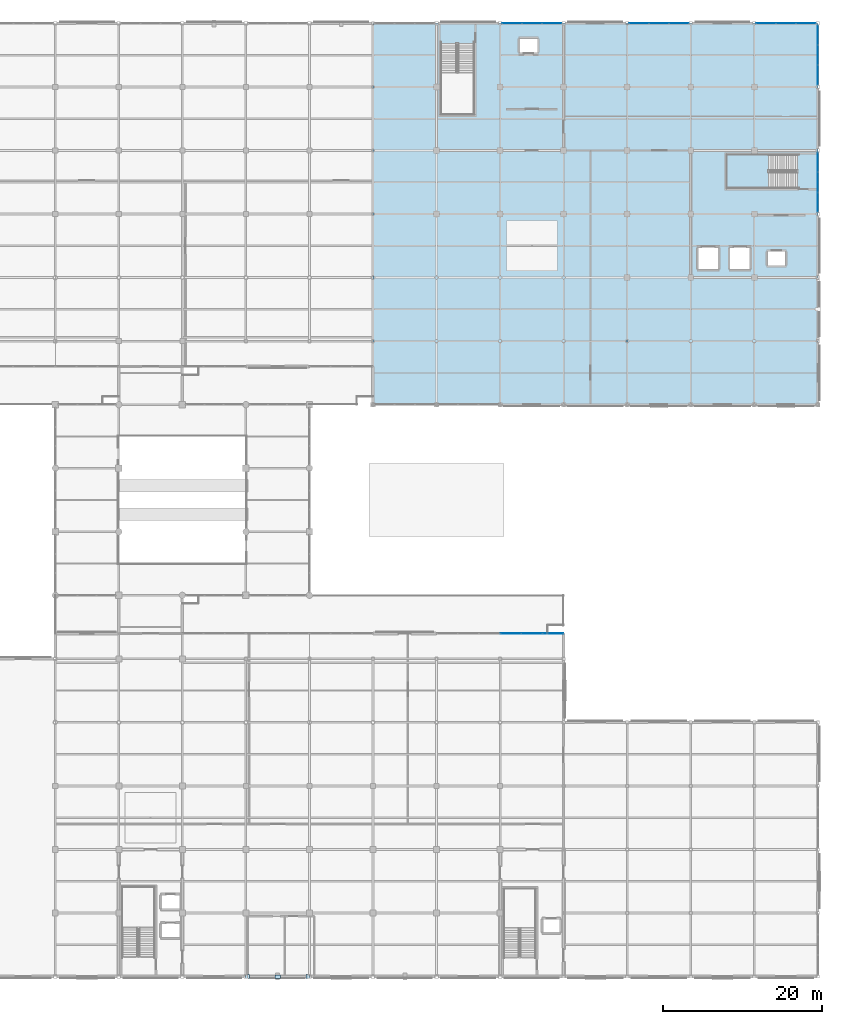
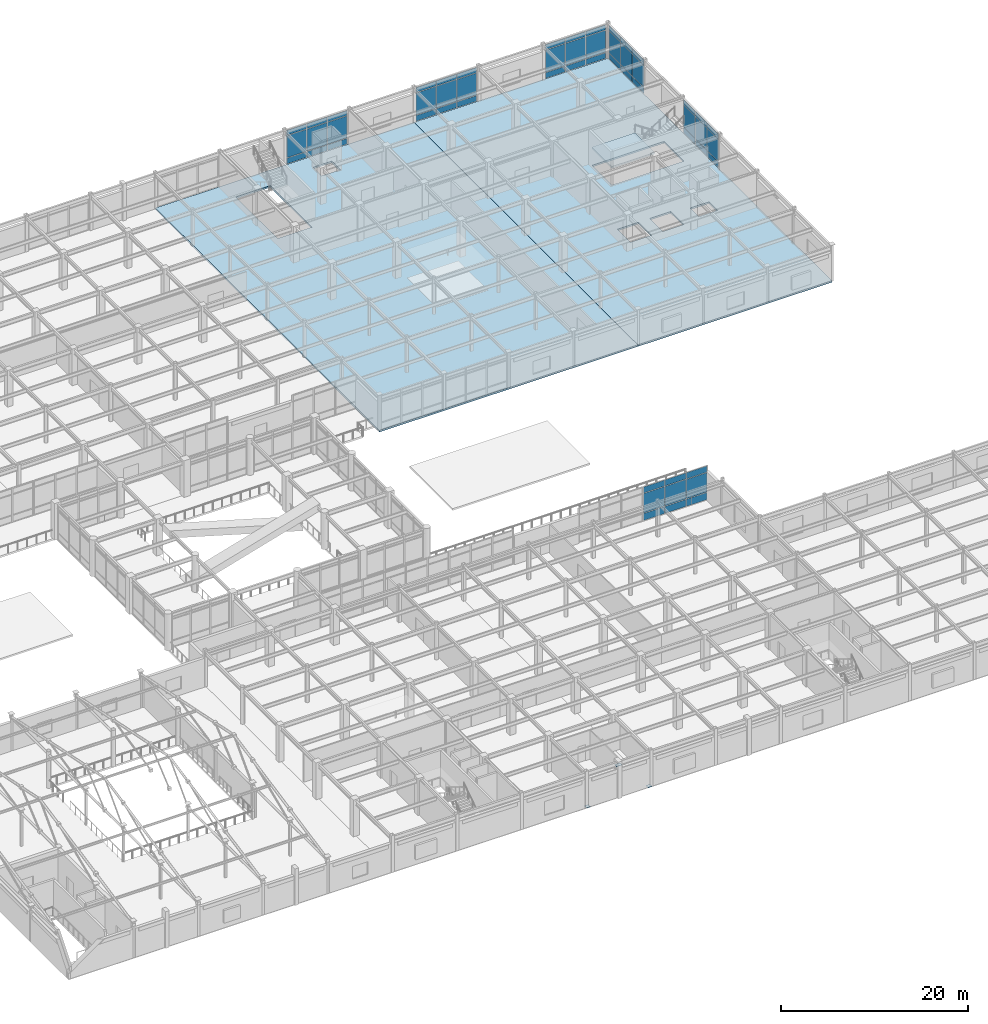
# One storey, part 88 of 117: 57 plates, 3 slabs, 7 elements without a shape of their own.
"""IFC4 building model written with IfcOpenShell, lengths in metres."""

from ifc_helpers import new_model, si_unit, direction, frame, origin, origin_2d, place, context, subcontext, project, spatial, polyline, rectangle, outline, extrude, material, layer, layer_set, type_object, element, aggregate, save


model = new_model("IFC4")

# Units and contexts
model_context = context("Model", 3, precision=1e-05, world=origin(), true_north=direction((0.0, 1.0)))
body_context = subcontext(model_context, "Body", "Model", "MODEL_VIEW")
ifc_project = project(units=[si_unit("LENGTHUNIT", "METRE"), si_unit("AREAUNIT", "SQUARE_METRE"), si_unit("VOLUMEUNIT", "CUBIC_METRE"), si_unit("PLANEANGLEUNIT", "RADIAN"), si_unit("MASSUNIT", "GRAM", prefix="KILO")], contexts=[model_context])

# Site, building, storey
site_placement = place(None, origin())
site = spatial("IfcSite", under=ifc_project, at=site_placement, CompositionType="ELEMENT")
building_placement = place(site_placement, origin())
building = spatial("IfcBuilding", under=site, at=building_placement, Name="Solmirada Galleria", CompositionType="ELEMENT")
storey_placement = place(building_placement, frame((0.0, 0.0, 5.60009765625)))
storey = spatial("IfcBuildingStorey", under=building, at=storey_placement, Name="L01", CompositionType="ELEMENT", Elevation=5.60009765625)

# Curtain wall, plates
ifc_material_1 = material(Name="Impact-resistant low-E double glazing", Category="glass")
curtain_wall_type_1 = type_object("IfcCurtainWallType", Name="CW-FZ2-L01-B3-L076", PredefinedType="NOTDEFINED", material=ifc_material_1)
curtain_wall_1_placement = place(storey_placement, origin())
curtain_wall_1 = element("IfcCurtainWall", 1, at=curtain_wall_1_placement, inside=storey, type_object=curtain_wall_type_1, Name="Terrace and arcade storefront CW-L01-057", PredefinedType="NOTDEFINED")
ifc_layer_1 = layer(ifc_material_1, 0.02392578125)
ifc_layer_set_1 = layer_set([ifc_layer_1], Name="Impact-resistant low-E double glazing")
plate_type_1 = type_object("IfcPlateType", Name="CW-PNL-CW15-T24", PredefinedType="CURTAIN_PANEL", material=ifc_layer_set_1)
plate_1_placement = place(storey_placement, frame((137.486328125, 120.0, 0.06494140625), z_axis=(0.0, 0.0, 1.0), x_axis=(1.0, 0.0, 0.0)))
plate_1 = element("IfcPlate", 2, at=plate_1_placement, type_object=plate_type_1, Name="CW15 panel 1.1", PredefinedType="CURTAIN_PANEL", context=body_context, shape_type="SweptSolid", body=[
    extrude(rectangle(XDim=2.4326171875, YDim=0.02392578125, at=origin_2d()), origin(), (0.0, 0.0, 1.0), 0.742431640625),
])
plate_2_placement = place(storey_placement, frame((137.486328125, 120.0, 0.872314453125), z_axis=(0.0, 0.0, 1.0), x_axis=(1.0, 0.0, 0.0)))
plate_2 = element("IfcPlate", 3, at=plate_2_placement, type_object=plate_type_1, Name="CW15 panel 1.2", PredefinedType="CURTAIN_PANEL", context=body_context, shape_type="SweptSolid", body=[
    extrude(rectangle(XDim=2.4326171875, YDim=0.02392578125, at=origin_2d()), origin(), (0.0, 0.0, 1.0), 2.875),
])
plate_3_placement = place(storey_placement, frame((137.486328125, 120.0, 3.812255859375), z_axis=(0.0, 0.0, 1.0), x_axis=(1.0, 0.0, 0.0)))
plate_3 = element("IfcPlate", 4, at=plate_3_placement, type_object=plate_type_1, Name="CW15 panel 1.3", PredefinedType="CURTAIN_PANEL", context=body_context, shape_type="SweptSolid", body=[
    extrude(rectangle(XDim=2.4326171875, YDim=0.02392578125, at=origin_2d()), origin(), (0.0, 0.0, 1.0), 0.642578125),
])
plate_4_placement = place(storey_placement, frame((140.0, 120.0, 0.06494140625), z_axis=(0.0, 0.0, 1.0), x_axis=(1.0, 0.0, 0.0)))
plate_4 = element("IfcPlate", 5, at=plate_4_placement, type_object=plate_type_1, Name="CW15 panel 2.1", PredefinedType="CURTAIN_PANEL", context=body_context, shape_type="SweptSolid", body=[
    extrude(rectangle(XDim=2.465087890625, YDim=0.02392578125, at=origin_2d()), origin(), (0.0, 0.0, 1.0), 0.742431640625),
])
plate_5_placement = place(storey_placement, frame((140.0, 120.0, 0.872314453125), z_axis=(0.0, 0.0, 1.0), x_axis=(1.0, 0.0, 0.0)))
plate_5 = element("IfcPlate", 6, at=plate_5_placement, type_object=plate_type_1, Name="CW15 panel 2.2", PredefinedType="CURTAIN_PANEL", context=body_context, shape_type="SweptSolid", body=[
    extrude(rectangle(XDim=2.465087890625, YDim=0.02392578125, at=origin_2d()), origin(), (0.0, 0.0, 1.0), 2.875),
])
plate_6_placement = place(storey_placement, frame((140.0, 120.0, 3.812255859375), z_axis=(0.0, 0.0, 1.0), x_axis=(1.0, 0.0, 0.0)))
plate_6 = element("IfcPlate", 7, at=plate_6_placement, type_object=plate_type_1, Name="CW15 panel 2.3", PredefinedType="CURTAIN_PANEL", context=body_context, shape_type="SweptSolid", body=[
    extrude(rectangle(XDim=2.465087890625, YDim=0.02392578125, at=origin_2d()), origin(), (0.0, 0.0, 1.0), 0.642578125),
])
plate_7_placement = place(storey_placement, frame((142.513671875, 120.0, 0.06494140625), z_axis=(0.0, 0.0, 1.0), x_axis=(1.0, 0.0, 0.0)))
plate_7 = element("IfcPlate", 8, at=plate_7_placement, type_object=plate_type_1, Name="CW15 panel 3.1", PredefinedType="CURTAIN_PANEL", context=body_context, shape_type="SweptSolid", body=[
    extrude(rectangle(XDim=2.4326171875, YDim=0.02392578125, at=origin_2d()), origin(), (0.0, 0.0, 1.0), 0.742431640625),
])
plate_8_placement = place(storey_placement, frame((142.513671875, 120.0, 0.872314453125), z_axis=(0.0, 0.0, 1.0), x_axis=(1.0, 0.0, 0.0)))
plate_8 = element("IfcPlate", 9, at=plate_8_placement, type_object=plate_type_1, Name="CW15 panel 3.2", PredefinedType="CURTAIN_PANEL", context=body_context, shape_type="SweptSolid", body=[
    extrude(rectangle(XDim=2.4326171875, YDim=0.02392578125, at=origin_2d()), origin(), (0.0, 0.0, 1.0), 2.875),
])
plate_9_placement = place(storey_placement, frame((142.513671875, 120.0, 3.812255859375), z_axis=(0.0, 0.0, 1.0), x_axis=(1.0, 0.0, 0.0)))
plate_9 = element("IfcPlate", 10, at=plate_9_placement, type_object=plate_type_1, Name="CW15 panel 3.3", PredefinedType="CURTAIN_PANEL", context=body_context, shape_type="SweptSolid", body=[
    extrude(rectangle(XDim=2.4326171875, YDim=0.02392578125, at=origin_2d()), origin(), (0.0, 0.0, 1.0), 0.642578125),
])
aggregate(curtain_wall_1, [plate_1, plate_2, plate_3, plate_4, plate_5, plate_6, plate_7, plate_8, plate_9])

curtain_wall_2_placement = place(storey_placement, origin())
curtain_wall_2 = element("IfcCurtainWall", 11, at=curtain_wall_2_placement, inside=storey, type_object=curtain_wall_type_1, Name="Terrace and arcade storefront CW-L01-058", PredefinedType="NOTDEFINED")
plate_10_placement = place(storey_placement, frame((153.486328125, 120.0, 0.06494140625), z_axis=(0.0, 0.0, 1.0), x_axis=(1.0, 0.0, 0.0)))
plate_10 = element("IfcPlate", 12, at=plate_10_placement, type_object=plate_type_1, Name="CW15 panel 1.1", PredefinedType="CURTAIN_PANEL", context=body_context, shape_type="SweptSolid", body=[
    extrude(rectangle(XDim=2.4326171875, YDim=0.02392578125, at=origin_2d()), origin(), (0.0, 0.0, 1.0), 0.742431640625),
])
plate_11_placement = place(storey_placement, frame((153.486328125, 120.0, 0.872314453125), z_axis=(0.0, 0.0, 1.0), x_axis=(1.0, 0.0, 0.0)))
plate_11 = element("IfcPlate", 13, at=plate_11_placement, type_object=plate_type_1, Name="CW15 panel 1.2", PredefinedType="CURTAIN_PANEL", context=body_context, shape_type="SweptSolid", body=[
    extrude(rectangle(XDim=2.4326171875, YDim=0.02392578125, at=origin_2d()), origin(), (0.0, 0.0, 1.0), 2.875),
])
plate_12_placement = place(storey_placement, frame((153.486328125, 120.0, 3.812255859375), z_axis=(0.0, 0.0, 1.0), x_axis=(1.0, 0.0, 0.0)))
plate_12 = element("IfcPlate", 14, at=plate_12_placement, type_object=plate_type_1, Name="CW15 panel 1.3", PredefinedType="CURTAIN_PANEL", context=body_context, shape_type="SweptSolid", body=[
    extrude(rectangle(XDim=2.4326171875, YDim=0.02392578125, at=origin_2d()), origin(), (0.0, 0.0, 1.0), 0.642578125),
])
plate_13_placement = place(storey_placement, frame((156.0, 120.0, 0.06494140625), z_axis=(0.0, 0.0, 1.0), x_axis=(1.0, 0.0, 0.0)))
plate_13 = element("IfcPlate", 15, at=plate_13_placement, type_object=plate_type_1, Name="CW15 panel 2.1", PredefinedType="CURTAIN_PANEL", context=body_context, shape_type="SweptSolid", body=[
    extrude(rectangle(XDim=2.465087890625, YDim=0.02392578125, at=origin_2d()), origin(), (0.0, 0.0, 1.0), 0.742431640625),
])
plate_14_placement = place(storey_placement, frame((156.0, 120.0, 0.872314453125), z_axis=(0.0, 0.0, 1.0), x_axis=(1.0, 0.0, 0.0)))
plate_14 = element("IfcPlate", 16, at=plate_14_placement, type_object=plate_type_1, Name="CW15 panel 2.2", PredefinedType="CURTAIN_PANEL", context=body_context, shape_type="SweptSolid", body=[
    extrude(rectangle(XDim=2.465087890625, YDim=0.02392578125, at=origin_2d()), origin(), (0.0, 0.0, 1.0), 2.875),
])
plate_15_placement = place(storey_placement, frame((156.0, 120.0, 3.812255859375), z_axis=(0.0, 0.0, 1.0), x_axis=(1.0, 0.0, 0.0)))
plate_15 = element("IfcPlate", 17, at=plate_15_placement, type_object=plate_type_1, Name="CW15 panel 2.3", PredefinedType="CURTAIN_PANEL", context=body_context, shape_type="SweptSolid", body=[
    extrude(rectangle(XDim=2.465087890625, YDim=0.02392578125, at=origin_2d()), origin(), (0.0, 0.0, 1.0), 0.642578125),
])
plate_16_placement = place(storey_placement, frame((158.513671875, 120.0, 0.06494140625), z_axis=(0.0, 0.0, 1.0), x_axis=(1.0, 0.0, 0.0)))
plate_16 = element("IfcPlate", 18, at=plate_16_placement, type_object=plate_type_1, Name="CW15 panel 3.1", PredefinedType="CURTAIN_PANEL", context=body_context, shape_type="SweptSolid", body=[
    extrude(rectangle(XDim=2.4326171875, YDim=0.02392578125, at=origin_2d()), origin(), (0.0, 0.0, 1.0), 0.742431640625),
])
plate_17_placement = place(storey_placement, frame((158.513671875, 120.0, 0.872314453125), z_axis=(0.0, 0.0, 1.0), x_axis=(1.0, 0.0, 0.0)))
plate_17 = element("IfcPlate", 19, at=plate_17_placement, type_object=plate_type_1, Name="CW15 panel 3.2", PredefinedType="CURTAIN_PANEL", context=body_context, shape_type="SweptSolid", body=[
    extrude(rectangle(XDim=2.4326171875, YDim=0.02392578125, at=origin_2d()), origin(), (0.0, 0.0, 1.0), 2.875),
])
plate_18_placement = place(storey_placement, frame((158.513671875, 120.0, 3.812255859375), z_axis=(0.0, 0.0, 1.0), x_axis=(1.0, 0.0, 0.0)))
plate_18 = element("IfcPlate", 20, at=plate_18_placement, type_object=plate_type_1, Name="CW15 panel 3.3", PredefinedType="CURTAIN_PANEL", context=body_context, shape_type="SweptSolid", body=[
    extrude(rectangle(XDim=2.4326171875, YDim=0.02392578125, at=origin_2d()), origin(), (0.0, 0.0, 1.0), 0.642578125),
])
aggregate(curtain_wall_2, [plate_10, plate_11, plate_12, plate_13, plate_14, plate_15, plate_16, plate_17, plate_18])

curtain_wall_3_placement = place(storey_placement, origin())
curtain_wall_3 = element("IfcCurtainWall", 21, at=curtain_wall_3_placement, inside=storey, type_object=curtain_wall_type_1, Name="Terrace and arcade storefront CW-L01-059", PredefinedType="NOTDEFINED")
plate_19_placement = place(storey_placement, frame((169.486328125, 120.0, 0.06494140625), z_axis=(0.0, 0.0, 1.0), x_axis=(1.0, 0.0, 0.0)))
plate_19 = element("IfcPlate", 22, at=plate_19_placement, type_object=plate_type_1, Name="CW15 panel 1.1", PredefinedType="CURTAIN_PANEL", context=body_context, shape_type="SweptSolid", body=[
    extrude(rectangle(XDim=2.4326171875, YDim=0.02392578125, at=origin_2d()), origin(), (0.0, 0.0, 1.0), 0.742431640625),
])
plate_20_placement = place(storey_placement, frame((169.486328125, 120.0, 0.872314453125), z_axis=(0.0, 0.0, 1.0), x_axis=(1.0, 0.0, 0.0)))
plate_20 = element("IfcPlate", 23, at=plate_20_placement, type_object=plate_type_1, Name="CW15 panel 1.2", PredefinedType="CURTAIN_PANEL", context=body_context, shape_type="SweptSolid", body=[
    extrude(rectangle(XDim=2.4326171875, YDim=0.02392578125, at=origin_2d()), origin(), (0.0, 0.0, 1.0), 2.875),
])
plate_21_placement = place(storey_placement, frame((169.486328125, 120.0, 3.812255859375), z_axis=(0.0, 0.0, 1.0), x_axis=(1.0, 0.0, 0.0)))
plate_21 = element("IfcPlate", 24, at=plate_21_placement, type_object=plate_type_1, Name="CW15 panel 1.3", PredefinedType="CURTAIN_PANEL", context=body_context, shape_type="SweptSolid", body=[
    extrude(rectangle(XDim=2.4326171875, YDim=0.02392578125, at=origin_2d()), origin(), (0.0, 0.0, 1.0), 0.642578125),
])
plate_22_placement = place(storey_placement, frame((172.0, 120.0, 0.06494140625), z_axis=(0.0, 0.0, 1.0), x_axis=(1.0, 0.0, 0.0)))
plate_22 = element("IfcPlate", 25, at=plate_22_placement, type_object=plate_type_1, Name="CW15 panel 2.1", PredefinedType="CURTAIN_PANEL", context=body_context, shape_type="SweptSolid", body=[
    extrude(rectangle(XDim=2.465087890625, YDim=0.02392578125, at=origin_2d()), origin(), (0.0, 0.0, 1.0), 0.742431640625),
])
plate_23_placement = place(storey_placement, frame((172.0, 120.0, 0.872314453125), z_axis=(0.0, 0.0, 1.0), x_axis=(1.0, 0.0, 0.0)))
plate_23 = element("IfcPlate", 26, at=plate_23_placement, type_object=plate_type_1, Name="CW15 panel 2.2", PredefinedType="CURTAIN_PANEL", context=body_context, shape_type="SweptSolid", body=[
    extrude(rectangle(XDim=2.465087890625, YDim=0.02392578125, at=origin_2d()), origin(), (0.0, 0.0, 1.0), 2.875),
])
plate_24_placement = place(storey_placement, frame((172.0, 120.0, 3.812255859375), z_axis=(0.0, 0.0, 1.0), x_axis=(1.0, 0.0, 0.0)))
plate_24 = element("IfcPlate", 27, at=plate_24_placement, type_object=plate_type_1, Name="CW15 panel 2.3", PredefinedType="CURTAIN_PANEL", context=body_context, shape_type="SweptSolid", body=[
    extrude(rectangle(XDim=2.465087890625, YDim=0.02392578125, at=origin_2d()), origin(), (0.0, 0.0, 1.0), 0.642578125),
])
plate_25_placement = place(storey_placement, frame((174.513671875, 120.0, 0.06494140625), z_axis=(0.0, 0.0, 1.0), x_axis=(1.0, 0.0, 0.0)))
plate_25 = element("IfcPlate", 28, at=plate_25_placement, type_object=plate_type_1, Name="CW15 panel 3.1", PredefinedType="CURTAIN_PANEL", context=body_context, shape_type="SweptSolid", body=[
    extrude(rectangle(XDim=2.4326171875, YDim=0.02392578125, at=origin_2d()), origin(), (0.0, 0.0, 1.0), 0.742431640625),
])
plate_26_placement = place(storey_placement, frame((174.513671875, 120.0, 0.872314453125), z_axis=(0.0, 0.0, 1.0), x_axis=(1.0, 0.0, 0.0)))
plate_26 = element("IfcPlate", 29, at=plate_26_placement, type_object=plate_type_1, Name="CW15 panel 3.2", PredefinedType="CURTAIN_PANEL", context=body_context, shape_type="SweptSolid", body=[
    extrude(rectangle(XDim=2.4326171875, YDim=0.02392578125, at=origin_2d()), origin(), (0.0, 0.0, 1.0), 2.875),
])
plate_27_placement = place(storey_placement, frame((174.513671875, 120.0, 3.812255859375), z_axis=(0.0, 0.0, 1.0), x_axis=(1.0, 0.0, 0.0)))
plate_27 = element("IfcPlate", 30, at=plate_27_placement, type_object=plate_type_1, Name="CW15 panel 3.3", PredefinedType="CURTAIN_PANEL", context=body_context, shape_type="SweptSolid", body=[
    extrude(rectangle(XDim=2.4326171875, YDim=0.02392578125, at=origin_2d()), origin(), (0.0, 0.0, 1.0), 0.642578125),
])
aggregate(curtain_wall_3, [plate_19, plate_20, plate_21, plate_22, plate_23, plate_24, plate_25, plate_26, plate_27])

curtain_wall_4_placement = place(storey_placement, origin())
curtain_wall_4 = element("IfcCurtainWall", 31, at=curtain_wall_4_placement, inside=storey, type_object=curtain_wall_type_1, Name="Terrace and arcade storefront CW-L01-060", PredefinedType="NOTDEFINED")
plate_28_placement = place(storey_placement, frame((176.0, 118.513671875, 0.06494140625), z_axis=(0.0, 0.0, 1.0), x_axis=(0.0, -1.0, 0.0)))
plate_28 = element("IfcPlate", 32, at=plate_28_placement, type_object=plate_type_1, Name="CW15 panel 1.1", PredefinedType="CURTAIN_PANEL", context=body_context, shape_type="SweptSolid", body=[
    extrude(rectangle(XDim=2.4326171875, YDim=0.02392578125, at=origin_2d()), origin(), (0.0, 0.0, 1.0), 0.742431640625),
])
plate_29_placement = place(storey_placement, frame((176.0, 118.513671875, 0.872314453125), z_axis=(0.0, 0.0, 1.0), x_axis=(0.0, -1.0, 0.0)))
plate_29 = element("IfcPlate", 33, at=plate_29_placement, type_object=plate_type_1, Name="CW15 panel 1.2", PredefinedType="CURTAIN_PANEL", context=body_context, shape_type="SweptSolid", body=[
    extrude(rectangle(XDim=2.4326171875, YDim=0.02392578125, at=origin_2d()), origin(), (0.0, 0.0, 1.0), 2.875),
])
plate_30_placement = place(storey_placement, frame((176.0, 118.513671875, 3.812255859375), z_axis=(0.0, 0.0, 1.0), x_axis=(0.0, -1.0, 0.0)))
plate_30 = element("IfcPlate", 34, at=plate_30_placement, type_object=plate_type_1, Name="CW15 panel 1.3", PredefinedType="CURTAIN_PANEL", context=body_context, shape_type="SweptSolid", body=[
    extrude(rectangle(XDim=2.4326171875, YDim=0.02392578125, at=origin_2d()), origin(), (0.0, 0.0, 1.0), 0.642578125),
])
plate_31_placement = place(storey_placement, frame((176.0, 116.0, 0.06494140625), z_axis=(0.0, 0.0, 1.0), x_axis=(0.0, -1.0, 0.0)))
plate_31 = element("IfcPlate", 35, at=plate_31_placement, type_object=plate_type_1, Name="CW15 panel 2.1", PredefinedType="CURTAIN_PANEL", context=body_context, shape_type="SweptSolid", body=[
    extrude(rectangle(XDim=2.465087890625, YDim=0.02392578125, at=origin_2d()), origin(), (0.0, 0.0, 1.0), 0.742431640625),
])
plate_32_placement = place(storey_placement, frame((176.0, 116.0, 0.872314453125), z_axis=(0.0, 0.0, 1.0), x_axis=(0.0, -1.0, 0.0)))
plate_32 = element("IfcPlate", 36, at=plate_32_placement, type_object=plate_type_1, Name="CW15 panel 2.2", PredefinedType="CURTAIN_PANEL", context=body_context, shape_type="SweptSolid", body=[
    extrude(rectangle(XDim=2.465087890625, YDim=0.02392578125, at=origin_2d()), origin(), (0.0, 0.0, 1.0), 2.875),
])
plate_33_placement = place(storey_placement, frame((176.0, 116.0, 3.812255859375), z_axis=(0.0, 0.0, 1.0), x_axis=(0.0, -1.0, 0.0)))
plate_33 = element("IfcPlate", 37, at=plate_33_placement, type_object=plate_type_1, Name="CW15 panel 2.3", PredefinedType="CURTAIN_PANEL", context=body_context, shape_type="SweptSolid", body=[
    extrude(rectangle(XDim=2.465087890625, YDim=0.02392578125, at=origin_2d()), origin(), (0.0, 0.0, 1.0), 0.642578125),
])
plate_34_placement = place(storey_placement, frame((176.0, 113.486328125, 0.06494140625), z_axis=(0.0, 0.0, 1.0), x_axis=(0.0, -1.0, 0.0)))
plate_34 = element("IfcPlate", 38, at=plate_34_placement, type_object=plate_type_1, Name="CW15 panel 3.1", PredefinedType="CURTAIN_PANEL", context=body_context, shape_type="SweptSolid", body=[
    extrude(rectangle(XDim=2.4326171875, YDim=0.02392578125, at=origin_2d()), origin(), (0.0, 0.0, 1.0), 0.742431640625),
])
plate_35_placement = place(storey_placement, frame((176.0, 113.486328125, 0.872314453125), z_axis=(0.0, 0.0, 1.0), x_axis=(0.0, -1.0, 0.0)))
plate_35 = element("IfcPlate", 39, at=plate_35_placement, type_object=plate_type_1, Name="CW15 panel 3.2", PredefinedType="CURTAIN_PANEL", context=body_context, shape_type="SweptSolid", body=[
    extrude(rectangle(XDim=2.4326171875, YDim=0.02392578125, at=origin_2d()), origin(), (0.0, 0.0, 1.0), 2.875),
])
plate_36_placement = place(storey_placement, frame((176.0, 113.486328125, 3.812255859375), z_axis=(0.0, 0.0, 1.0), x_axis=(0.0, -1.0, 0.0)))
plate_36 = element("IfcPlate", 40, at=plate_36_placement, type_object=plate_type_1, Name="CW15 panel 3.3", PredefinedType="CURTAIN_PANEL", context=body_context, shape_type="SweptSolid", body=[
    extrude(rectangle(XDim=2.4326171875, YDim=0.02392578125, at=origin_2d()), origin(), (0.0, 0.0, 1.0), 0.642578125),
])
aggregate(curtain_wall_4, [plate_28, plate_29, plate_30, plate_31, plate_32, plate_33, plate_34, plate_35, plate_36])

curtain_wall_5_placement = place(storey_placement, origin())
curtain_wall_5 = element("IfcCurtainWall", 41, at=curtain_wall_5_placement, inside=storey, type_object=curtain_wall_type_1, Name="Terrace and arcade storefront CW-L01-061", PredefinedType="NOTDEFINED")
plate_37_placement = place(storey_placement, frame((176.0, 102.513671875, 0.06494140625), z_axis=(0.0, 0.0, 1.0), x_axis=(0.0, -1.0, 0.0)))
plate_37 = element("IfcPlate", 42, at=plate_37_placement, type_object=plate_type_1, Name="CW15 panel 1.1", PredefinedType="CURTAIN_PANEL", context=body_context, shape_type="SweptSolid", body=[
    extrude(rectangle(XDim=2.4326171875, YDim=0.02392578125, at=origin_2d()), origin(), (0.0, 0.0, 1.0), 0.742431640625),
])
plate_38_placement = place(storey_placement, frame((176.0, 102.513671875, 0.872314453125), z_axis=(0.0, 0.0, 1.0), x_axis=(0.0, -1.0, 0.0)))
plate_38 = element("IfcPlate", 43, at=plate_38_placement, type_object=plate_type_1, Name="CW15 panel 1.2", PredefinedType="CURTAIN_PANEL", context=body_context, shape_type="SweptSolid", body=[
    extrude(rectangle(XDim=2.4326171875, YDim=0.02392578125, at=origin_2d()), origin(), (0.0, 0.0, 1.0), 2.875),
])
plate_39_placement = place(storey_placement, frame((176.0, 102.513671875, 3.812255859375), z_axis=(0.0, 0.0, 1.0), x_axis=(0.0, -1.0, 0.0)))
plate_39 = element("IfcPlate", 44, at=plate_39_placement, type_object=plate_type_1, Name="CW15 panel 1.3", PredefinedType="CURTAIN_PANEL", context=body_context, shape_type="SweptSolid", body=[
    extrude(rectangle(XDim=2.4326171875, YDim=0.02392578125, at=origin_2d()), origin(), (0.0, 0.0, 1.0), 0.642578125),
])
plate_40_placement = place(storey_placement, frame((176.0, 100.0, 0.06494140625), z_axis=(0.0, 0.0, 1.0), x_axis=(0.0, -1.0, 0.0)))
plate_40 = element("IfcPlate", 45, at=plate_40_placement, type_object=plate_type_1, Name="CW15 panel 2.1", PredefinedType="CURTAIN_PANEL", context=body_context, shape_type="SweptSolid", body=[
    extrude(rectangle(XDim=2.465087890625, YDim=0.02392578125, at=origin_2d()), origin(), (0.0, 0.0, 1.0), 0.742431640625),
])
plate_41_placement = place(storey_placement, frame((176.0, 100.0, 0.872314453125), z_axis=(0.0, 0.0, 1.0), x_axis=(0.0, -1.0, 0.0)))
plate_41 = element("IfcPlate", 46, at=plate_41_placement, type_object=plate_type_1, Name="CW15 panel 2.2", PredefinedType="CURTAIN_PANEL", context=body_context, shape_type="SweptSolid", body=[
    extrude(rectangle(XDim=2.465087890625, YDim=0.02392578125, at=origin_2d()), origin(), (0.0, 0.0, 1.0), 2.875),
])
plate_42_placement = place(storey_placement, frame((176.0, 100.0, 3.812255859375), z_axis=(0.0, 0.0, 1.0), x_axis=(0.0, -1.0, 0.0)))
plate_42 = element("IfcPlate", 47, at=plate_42_placement, type_object=plate_type_1, Name="CW15 panel 2.3", PredefinedType="CURTAIN_PANEL", context=body_context, shape_type="SweptSolid", body=[
    extrude(rectangle(XDim=2.465087890625, YDim=0.02392578125, at=origin_2d()), origin(), (0.0, 0.0, 1.0), 0.642578125),
])
plate_43_placement = place(storey_placement, frame((176.0, 97.486328125, 0.06494140625), z_axis=(0.0, 0.0, 1.0), x_axis=(0.0, -1.0, 0.0)))
plate_43 = element("IfcPlate", 48, at=plate_43_placement, type_object=plate_type_1, Name="CW15 panel 3.1", PredefinedType="CURTAIN_PANEL", context=body_context, shape_type="SweptSolid", body=[
    extrude(rectangle(XDim=2.4326171875, YDim=0.02392578125, at=origin_2d()), origin(), (0.0, 0.0, 1.0), 0.742431640625),
])
plate_44_placement = place(storey_placement, frame((176.0, 97.486328125, 0.872314453125), z_axis=(0.0, 0.0, 1.0), x_axis=(0.0, -1.0, 0.0)))
plate_44 = element("IfcPlate", 49, at=plate_44_placement, type_object=plate_type_1, Name="CW15 panel 3.2", PredefinedType="CURTAIN_PANEL", context=body_context, shape_type="SweptSolid", body=[
    extrude(rectangle(XDim=2.4326171875, YDim=0.02392578125, at=origin_2d()), origin(), (0.0, 0.0, 1.0), 2.875),
])
plate_45_placement = place(storey_placement, frame((176.0, 97.486328125, 3.812255859375), z_axis=(0.0, 0.0, 1.0), x_axis=(0.0, -1.0, 0.0)))
plate_45 = element("IfcPlate", 50, at=plate_45_placement, type_object=plate_type_1, Name="CW15 panel 3.3", PredefinedType="CURTAIN_PANEL", context=body_context, shape_type="SweptSolid", body=[
    extrude(rectangle(XDim=2.4326171875, YDim=0.02392578125, at=origin_2d()), origin(), (0.0, 0.0, 1.0), 0.642578125),
])
aggregate(curtain_wall_5, [plate_37, plate_38, plate_39, plate_40, plate_41, plate_42, plate_43, plate_44, plate_45])

curtain_wall_type_2 = type_object("IfcCurtainWallType", Name="CW-FZ5-L01-B3-L080", PredefinedType="NOTDEFINED", material=ifc_material_1)
curtain_wall_6_placement = place(storey_placement, origin())
curtain_wall_6 = element("IfcCurtainWall", 51, at=curtain_wall_6_placement, inside=storey, type_object=curtain_wall_type_2, Name="Terrace and arcade storefront CW-L01-077", PredefinedType="NOTDEFINED")
ifc_layer_2 = layer(ifc_material_1, 0.031982421875)
ifc_layer_set_2 = layer_set([ifc_layer_2], Name="Impact-resistant low-E double glazing")
plate_type_2 = type_object("IfcPlateType", Name="CW-PNL-CW17-T32", PredefinedType="CURTAIN_PANEL", material=ifc_layer_set_2)
plate_46_placement = place(storey_placement, frame((137.349609375, 43.199951171875, 0.06494140625), z_axis=(0.0, 0.0, 1.0), x_axis=(1.0, 0.0, 0.0)))
plate_46 = element("IfcPlate", 52, at=plate_46_placement, type_object=plate_type_2, Name="CW17 panel 1.1", PredefinedType="CURTAIN_PANEL", context=body_context, shape_type="SweptSolid", body=[
    extrude(rectangle(XDim=2.569091796875, YDim=0.031982421875, at=origin_2d()), origin(), (0.0, 0.0, 1.0), 0.922607421875),
])
plate_47_placement = place(storey_placement, frame((137.349609375, 43.199951171875, 1.052490234375), z_axis=(0.0, 0.0, 1.0), x_axis=(1.0, 0.0, 0.0)))
plate_47 = element("IfcPlate", 53, at=plate_47_placement, type_object=plate_type_2, Name="CW17 panel 1.2", PredefinedType="CURTAIN_PANEL", context=body_context, shape_type="SweptSolid", body=[
    extrude(rectangle(XDim=2.569091796875, YDim=0.031982421875, at=origin_2d()), origin(), (0.0, 0.0, 1.0), 2.544921875),
])
plate_48_placement = place(storey_placement, frame((137.349609375, 43.199951171875, 3.662353515625), z_axis=(0.0, 0.0, 1.0), x_axis=(1.0, 0.0, 0.0)))
plate_48 = element("IfcPlate", 54, at=plate_48_placement, type_object=plate_type_2, Name="CW17 panel 1.3", PredefinedType="CURTAIN_PANEL", context=body_context, shape_type="SweptSolid", body=[
    extrude(rectangle(XDim=2.569091796875, YDim=0.031982421875, at=origin_2d()), origin(), (0.0, 0.0, 1.0), 0.79248046875),
])
plate_49_placement = place(storey_placement, frame((140.0, 43.199951171875, 0.06494140625), z_axis=(0.0, 0.0, 1.0), x_axis=(1.0, 0.0, 0.0)))
plate_49 = element("IfcPlate", 55, at=plate_49_placement, type_object=plate_type_2, Name="CW17 panel 2.1", PredefinedType="CURTAIN_PANEL", context=body_context, shape_type="SweptSolid", body=[
    extrude(rectangle(XDim=2.6015625, YDim=0.031982421875, at=origin_2d()), origin(), (0.0, 0.0, 1.0), 0.922607421875),
])
plate_50_placement = place(storey_placement, frame((140.0, 43.199951171875, 1.052490234375), z_axis=(0.0, 0.0, 1.0), x_axis=(1.0, 0.0, 0.0)))
plate_50 = element("IfcPlate", 56, at=plate_50_placement, type_object=plate_type_2, Name="CW17 panel 2.2", PredefinedType="CURTAIN_PANEL", context=body_context, shape_type="SweptSolid", body=[
    extrude(rectangle(XDim=2.6015625, YDim=0.031982421875, at=origin_2d()), origin(), (0.0, 0.0, 1.0), 2.544921875),
])
plate_51_placement = place(storey_placement, frame((140.0, 43.199951171875, 3.662353515625), z_axis=(0.0, 0.0, 1.0), x_axis=(1.0, 0.0, 0.0)))
plate_51 = element("IfcPlate", 57, at=plate_51_placement, type_object=plate_type_2, Name="CW17 panel 2.3", PredefinedType="CURTAIN_PANEL", context=body_context, shape_type="SweptSolid", body=[
    extrude(rectangle(XDim=2.6015625, YDim=0.031982421875, at=origin_2d()), origin(), (0.0, 0.0, 1.0), 0.79248046875),
])
plate_52_placement = place(storey_placement, frame((142.650390625, 43.199951171875, 0.06494140625), z_axis=(0.0, 0.0, 1.0), x_axis=(1.0, 0.0, 0.0)))
plate_52 = element("IfcPlate", 58, at=plate_52_placement, type_object=plate_type_2, Name="CW17 panel 3.1", PredefinedType="CURTAIN_PANEL", context=body_context, shape_type="SweptSolid", body=[
    extrude(rectangle(XDim=2.569091796875, YDim=0.031982421875, at=origin_2d()), origin(), (0.0, 0.0, 1.0), 0.922607421875),
])
plate_53_placement = place(storey_placement, frame((142.650390625, 43.199951171875, 1.052490234375), z_axis=(0.0, 0.0, 1.0), x_axis=(1.0, 0.0, 0.0)))
plate_53 = element("IfcPlate", 59, at=plate_53_placement, type_object=plate_type_2, Name="CW17 panel 3.2", PredefinedType="CURTAIN_PANEL", context=body_context, shape_type="SweptSolid", body=[
    extrude(rectangle(XDim=2.569091796875, YDim=0.031982421875, at=origin_2d()), origin(), (0.0, 0.0, 1.0), 2.544921875),
])
plate_54_placement = place(storey_placement, frame((142.650390625, 43.199951171875, 3.662353515625), z_axis=(0.0, 0.0, 1.0), x_axis=(1.0, 0.0, 0.0)))
plate_54 = element("IfcPlate", 60, at=plate_54_placement, type_object=plate_type_2, Name="CW17 panel 3.3", PredefinedType="CURTAIN_PANEL", context=body_context, shape_type="SweptSolid", body=[
    extrude(rectangle(XDim=2.569091796875, YDim=0.031982421875, at=origin_2d()), origin(), (0.0, 0.0, 1.0), 0.79248046875),
])
aggregate(curtain_wall_6, [plate_46, plate_47, plate_48, plate_49, plate_50, plate_51, plate_52, plate_53, plate_54])

# Plates
ifc_material_2 = material(Name="Steel S355 / ASTM A572 Grade 50", Category="steel")
ifc_layer_3 = layer(ifc_material_2, 0.028076171875)
ifc_layer_set_3 = layer_set([ifc_layer_3], Name="Steel S355 / ASTM A572 Grade 50")
plate_type_3 = type_object("IfcPlateType", Name="PLT-NODE-02", PredefinedType="SHEET", material=ifc_layer_set_3)
for number, where, z_axis, x_axis, name in (
    (61, (104.202880859375, 0.0, 0.005859375), (0.0, 0.0, 1.0), (1.0, 0.0, 0.0), "Braced frame gusset plate CBF-S1 L01 LA"),
    (62, (111.797119140625, 0.0, 0.005859375), (0.0, 0.0, 1.0), (1.0, 0.0, 0.0), "Braced frame gusset plate CBF-S1 L01 RA"),
):
    element("IfcPlate", number, at=place(storey_placement, frame(where, z_axis=z_axis, x_axis=x_axis)), inside=storey, type_object=plate_type_3, Name=name, PredefinedType="SHEET", context=body_context, shape_type="SweptSolid", body=[
        extrude(rectangle(XDim=0.47998046875, YDim=0.47998046875, at=origin_2d()), origin(), (0.0, 0.0, 1.0), 0.028076171875),
    ])
ifc_layer_4 = layer(ifc_material_2, 0.035888671875)
ifc_layer_set_4 = layer_set([ifc_layer_4], Name="Steel S355 / ASTM A572 Grade 50")
plate_type_4 = type_object("IfcPlateType", Name="PLT-NODE-04", PredefinedType="SHEET", material=ifc_layer_set_4)
plate_55_placement = place(storey_placement, frame((108.0, 0.0, 4.10205078125), z_axis=(0.0, 0.0, 1.0), x_axis=(1.0, 0.0, 0.0)))
element("IfcPlate", 63, at=plate_55_placement, inside=storey, type_object=plate_type_4, Name="Braced frame gusset plate CBF-S1 L01 AP", PredefinedType="SHEET", context=body_context, shape_type="SweptSolid", body=[
    extrude(rectangle(XDim=0.64990234375, YDim=0.449951171875, at=origin_2d()), origin(), (0.0, 0.0, 1.0), 0.035888671875),
])

# Slabs
ifc_material_3 = material(Name="Concrete C35/45", Category="concrete")
ifc_layer_5 = layer(ifc_material_3, 0.219970703125)
ifc_layer_set_5 = layer_set([ifc_layer_5], Name="Concrete C35/45")
slab_type_1 = type_object("IfcSlabType", Name="SLB-FLOOR-220", PredefinedType="FLOOR", material=ifc_layer_set_5)
slab_1_placement = place(storey_placement, frame((0.0, 0.0, -0.22021484375)))
element("IfcSlab", 64, at=slab_1_placement, inside=storey, type_object=slab_type_1, Name="Slab L01-NE-W", PredefinedType="FLOOR", context=body_context, shape_type="SweptSolid", body=[
    extrude(outline(polyline([(120.0, 72.0), (152.0, 72.0), (152.0, 120.0), (120.0, 120.0), (120.0, 72.0)]), holes=[polyline([(128.5, 108.5), (132.75, 108.5), (132.75, 117.449951171875), (128.5, 117.449951171875), (128.5, 108.5)]), polyline([(138.449951171875, 116.27490234375), (140.75, 116.27490234375), (140.75, 118.125), (138.449951171875, 118.125), (138.449951171875, 116.27490234375)])]), origin(), (0.0, 0.0, 1.0), 0.22021484375),
])
slab_2_placement = place(storey_placement, frame((0.0, 0.0, -0.22021484375)))
element("IfcSlab", 65, at=slab_2_placement, inside=storey, type_object=slab_type_1, Name="Slab L01-NE-E", PredefinedType="FLOOR", context=body_context, shape_type="SweptSolid", body=[
    extrude(outline(polyline([(152.0, 72.0), (176.0, 72.0), (176.0, 120.0), (152.0, 120.0), (152.0, 72.0)]), holes=[polyline([(164.5, 99.25), (173.449951171875, 99.25), (173.449951171875, 103.5), (164.5, 103.5), (164.5, 99.25)]), polyline([(169.64990234375, 89.47509765625), (171.949951171875, 89.47509765625), (171.949951171875, 91.324951171875), (169.64990234375, 91.324951171875), (169.64990234375, 89.47509765625)]), polyline([(164.89990234375, 89.0), (167.5, 89.0), (167.5, 91.800048828125), (164.89990234375, 91.800048828125), (164.89990234375, 89.0)]), polyline([(160.89990234375, 89.0), (163.5, 89.0), (163.5, 91.800048828125), (160.89990234375, 91.800048828125), (160.89990234375, 89.0)])]), origin(), (0.0, 0.0, 1.0), 0.22021484375),
])

# Stair, slab
stair_type = type_object("IfcStairType", Name="STR-DOG-205-H48", PredefinedType="HALF_TURN_STAIR", material=ifc_material_3)
stair_placement = place(storey_placement, origin())
stair = element("IfcStair", 66, at=stair_placement, inside=storey, type_object=stair_type, Name="L01 East Avenue High-Rise and Freight Core Exit Stair ST4", PredefinedType="HALF_TURN_STAIR")
ifc_layer_6 = layer(ifc_material_3, 0.199951171875)
ifc_layer_set_6 = layer_set([ifc_layer_6], Name="Concrete C35/45")
slab_type_2 = type_object("IfcSlabType", Name="SLB-LAND-200", PredefinedType="LANDING", material=ifc_layer_set_6)
slab_3_placement = place(storey_placement, frame((0.0, 0.0, 2.199951171875)))
slab_3 = element("IfcSlab", 67, at=slab_3_placement, type_object=slab_type_2, Name="ST4 landing 1", PredefinedType="LANDING", context=body_context, shape_type="SweptSolid", body=[
    extrude(outline(polyline([(169.81005859375, 103.5), (164.5, 103.5), (164.5, 99.25), (169.81005859375, 99.25), (169.81005859375, 103.5)])), origin(), (0.0, 0.0, 1.0), 0.199951171875),
])
aggregate(stair, [slab_3])

save(model, "model.ifc")
